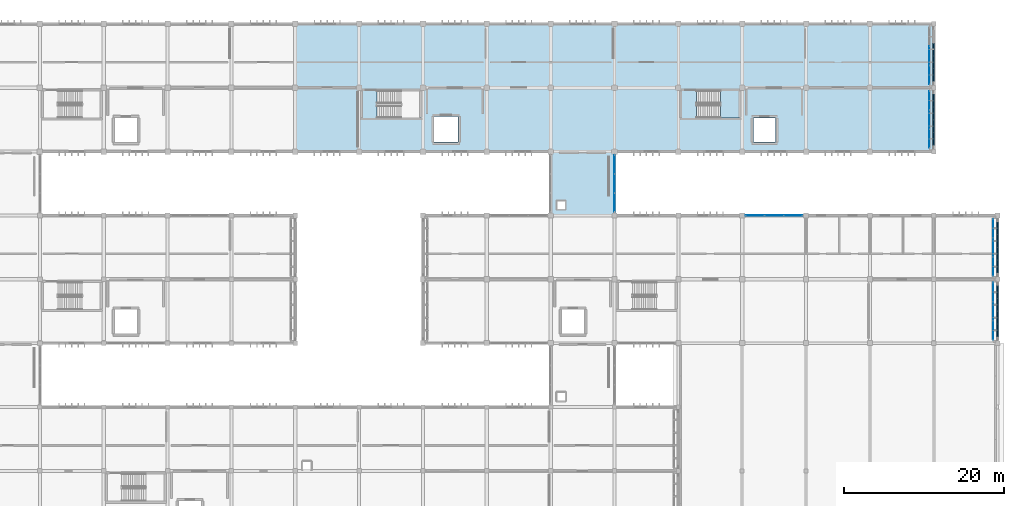
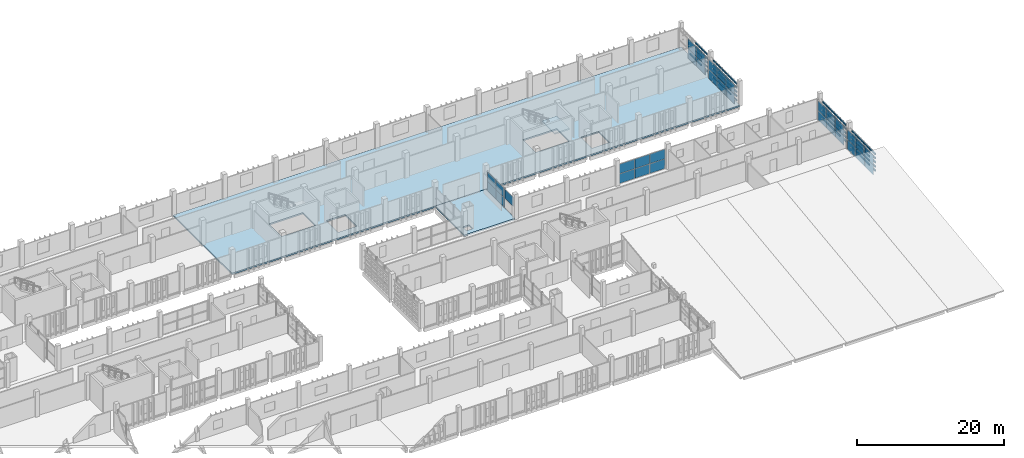
# One storey, part 61 of 83: 104 plates, 3 slabs, 7 elements without a shape of their own.
"""IFC4 building model written with IfcOpenShell, lengths in metres."""

from ifc_helpers import new_model, si_unit, direction, frame, origin, origin_2d, place, context, subcontext, project, spatial, polyline, rectangle, outline, extrude, material, layer, layer_set, type_object, element, aggregate, save


model = new_model("IFC4")

# Units and contexts
model_context = context("Model", 3, precision=1e-05, world=origin(), true_north=direction((0.0, 1.0)))
body_context = subcontext(model_context, "Body", "Model", "MODEL_VIEW")
ifc_project = project(units=[si_unit("LENGTHUNIT", "METRE"), si_unit("AREAUNIT", "SQUARE_METRE"), si_unit("VOLUMEUNIT", "CUBIC_METRE"), si_unit("PLANEANGLEUNIT", "RADIAN"), si_unit("MASSUNIT", "GRAM", prefix="KILO")], contexts=[model_context])

# Site, building, storey
site_placement = place(None, origin())
site = spatial("IfcSite", under=ifc_project, at=site_placement, CompositionType="ELEMENT")
building_placement = place(site_placement, origin())
building = spatial("IfcBuilding", under=site, at=building_placement, Name="Jelvoka-Kovrelna Polytechnic", CompositionType="ELEMENT")
storey_placement = place(building_placement, frame((0.0, 0.0, 13.800048828125)))
storey = spatial("IfcBuildingStorey", under=building, at=storey_placement, Name="L04", CompositionType="ELEMENT", Elevation=13.800048828125)

# Curtain wall, plates
ifc_material_1 = material(Name="Anodised aluminium 6063-T6", Category="aluminium")
ifc_layer_1 = layer(ifc_material_1, 0.159912109375)
ifc_layer_set_1 = layer_set([ifc_layer_1], Name="Anodised aluminium 6063-T6")
curtain_wall_type_1 = type_object("IfcCurtainWallType", Name="CW_Recessed_A", PredefinedType="NOTDEFINED", material=ifc_layer_set_1)
curtain_wall_1_placement = place(storey_placement, origin())
curtain_wall_1 = element("IfcCurtainWall", 1, at=curtain_wall_1_placement, inside=storey, type_object=curtain_wall_type_1, Name="L04 glazed curtain wall 065", PredefinedType="NOTDEFINED")
ifc_material_2 = material(Name="Solar-control double glazing", Category="glass")
ifc_layer_2 = layer(ifc_material_2, 0.028076171875)
ifc_layer_set_2 = layer_set([ifc_layer_2], Name="Solar-control double glazing")
plate_type_1 = type_object("IfcPlateType", Name="Panel_GP-01", PredefinedType="CURTAIN_PANEL", material=ifc_layer_set_2)
plate_1_placement = place(storey_placement, frame((169.614990234375, 48.0, 0.052001953125), z_axis=(0.0, 0.0, 1.0), x_axis=(1.0, 0.0, 0.0)))
plate_1 = element("IfcPlate", 2, at=plate_1_placement, type_object=plate_type_1, Name="CW-01 panel 1.1", PredefinedType="CURTAIN_PANEL", context=body_context, shape_type="SweptSolid", body=[
    extrude(rectangle(XDim=2.326171875, YDim=0.028076171875, at=origin_2d()), origin(), (0.0, 0.0, 1.0), 1.588623046875),
])
plate_2_placement = place(storey_placement, frame((169.614990234375, 48.0, 1.684326171875), z_axis=(0.0, 0.0, 1.0), x_axis=(1.0, 0.0, 0.0)))
plate_2 = element("IfcPlate", 3, at=plate_2_placement, type_object=plate_type_1, Name="CW-01 panel 1.2", PredefinedType="CURTAIN_PANEL", context=body_context, shape_type="SweptSolid", body=[
    extrude(rectangle(XDim=2.326171875, YDim=0.028076171875, at=origin_2d()), origin(), (0.0, 0.0, 1.0), 1.588623046875),
])
plate_3_placement = place(storey_placement, frame((172.0, 48.0, 0.052001953125), z_axis=(0.0, 0.0, 1.0), x_axis=(1.0, 0.0, 0.0)))
plate_3 = element("IfcPlate", 4, at=plate_3_placement, type_object=plate_type_1, Name="CW-01 panel 2.1", PredefinedType="CURTAIN_PANEL", context=body_context, shape_type="SweptSolid", body=[
    extrude(rectangle(XDim=2.356201171875, YDim=0.028076171875, at=origin_2d()), origin(), (0.0, 0.0, 1.0), 1.588623046875),
])
plate_4_placement = place(storey_placement, frame((172.0, 48.0, 1.684326171875), z_axis=(0.0, 0.0, 1.0), x_axis=(1.0, 0.0, 0.0)))
plate_4 = element("IfcPlate", 5, at=plate_4_placement, type_object=plate_type_1, Name="CW-01 panel 2.2", PredefinedType="CURTAIN_PANEL", context=body_context, shape_type="SweptSolid", body=[
    extrude(rectangle(XDim=2.356201171875, YDim=0.028076171875, at=origin_2d()), origin(), (0.0, 0.0, 1.0), 1.588623046875),
])
plate_5_placement = place(storey_placement, frame((174.385009765625, 48.0, 0.052001953125), z_axis=(0.0, 0.0, 1.0), x_axis=(1.0, 0.0, 0.0)))
plate_5 = element("IfcPlate", 6, at=plate_5_placement, type_object=plate_type_1, Name="CW-01 panel 3.1", PredefinedType="CURTAIN_PANEL", context=body_context, shape_type="SweptSolid", body=[
    extrude(rectangle(XDim=2.326171875, YDim=0.028076171875, at=origin_2d()), origin(), (0.0, 0.0, 1.0), 1.588623046875),
])
plate_6_placement = place(storey_placement, frame((174.385009765625, 48.0, 1.684326171875), z_axis=(0.0, 0.0, 1.0), x_axis=(1.0, 0.0, 0.0)))
plate_6 = element("IfcPlate", 7, at=plate_6_placement, type_object=plate_type_1, Name="CW-01 panel 3.2", PredefinedType="CURTAIN_PANEL", context=body_context, shape_type="SweptSolid", body=[
    extrude(rectangle(XDim=2.326171875, YDim=0.028076171875, at=origin_2d()), origin(), (0.0, 0.0, 1.0), 1.588623046875),
])
aggregate(curtain_wall_1, [plate_1, plate_2, plate_3, plate_4, plate_5, plate_6])

curtain_wall_2_placement = place(storey_placement, origin())
curtain_wall_2 = element("IfcCurtainWall", 8, at=curtain_wall_2_placement, inside=storey, type_object=curtain_wall_type_1, Name="L04 glazed curtain wall 068", PredefinedType="NOTDEFINED")
plate_7_placement = place(storey_placement, frame((199.43994140625, 38.385009765625, 0.052001953125), z_axis=(0.0, 0.0, 1.0), x_axis=(0.0, -1.0, 0.0)))
plate_7 = element("IfcPlate", 9, at=plate_7_placement, type_object=plate_type_1, Name="CW-01 panel 1.1", PredefinedType="CURTAIN_PANEL", context=body_context, shape_type="SweptSolid", body=[
    extrude(rectangle(XDim=2.326171875, YDim=0.028076171875, at=origin_2d()), origin(), (0.0, 0.0, 1.0), 1.60107421875),
])
plate_8_placement = place(storey_placement, frame((199.43994140625, 38.385009765625, 1.697021484375), z_axis=(0.0, 0.0, 1.0), x_axis=(0.0, -1.0, 0.0)))
plate_8 = element("IfcPlate", 10, at=plate_8_placement, type_object=plate_type_1, Name="CW-01 panel 1.2", PredefinedType="CURTAIN_PANEL", context=body_context, shape_type="SweptSolid", body=[
    extrude(rectangle(XDim=2.326171875, YDim=0.028076171875, at=origin_2d()), origin(), (0.0, 0.0, 1.0), 1.60107421875),
])
plate_9_placement = place(storey_placement, frame((199.43994140625, 36.0, 0.052001953125), z_axis=(0.0, 0.0, 1.0), x_axis=(0.0, -1.0, 0.0)))
plate_9 = element("IfcPlate", 11, at=plate_9_placement, type_object=plate_type_1, Name="CW-01 panel 2.1", PredefinedType="CURTAIN_PANEL", context=body_context, shape_type="SweptSolid", body=[
    extrude(rectangle(XDim=2.356201171875, YDim=0.028076171875, at=origin_2d()), origin(), (0.0, 0.0, 1.0), 1.60107421875),
])
plate_10_placement = place(storey_placement, frame((199.43994140625, 36.0, 1.697021484375), z_axis=(0.0, 0.0, 1.0), x_axis=(0.0, -1.0, 0.0)))
plate_10 = element("IfcPlate", 12, at=plate_10_placement, type_object=plate_type_1, Name="CW-01 panel 2.2", PredefinedType="CURTAIN_PANEL", context=body_context, shape_type="SweptSolid", body=[
    extrude(rectangle(XDim=2.356201171875, YDim=0.028076171875, at=origin_2d()), origin(), (0.0, 0.0, 1.0), 1.60107421875),
])
plate_11_placement = place(storey_placement, frame((199.43994140625, 33.614990234375, 0.052001953125), z_axis=(0.0, 0.0, 1.0), x_axis=(0.0, -1.0, 0.0)))
plate_11 = element("IfcPlate", 13, at=plate_11_placement, type_object=plate_type_1, Name="CW-01 panel 3.1", PredefinedType="CURTAIN_PANEL", context=body_context, shape_type="SweptSolid", body=[
    extrude(rectangle(XDim=2.326171875, YDim=0.028076171875, at=origin_2d()), origin(), (0.0, 0.0, 1.0), 1.60107421875),
])
plate_12_placement = place(storey_placement, frame((199.43994140625, 33.614990234375, 1.697021484375), z_axis=(0.0, 0.0, 1.0), x_axis=(0.0, -1.0, 0.0)))
plate_12 = element("IfcPlate", 14, at=plate_12_placement, type_object=plate_type_1, Name="CW-01 panel 3.2", PredefinedType="CURTAIN_PANEL", context=body_context, shape_type="SweptSolid", body=[
    extrude(rectangle(XDim=2.326171875, YDim=0.028076171875, at=origin_2d()), origin(), (0.0, 0.0, 1.0), 1.60107421875),
])
aggregate(curtain_wall_2, [plate_7, plate_8, plate_9, plate_10, plate_11, plate_12])

curtain_wall_3_placement = place(storey_placement, origin())
curtain_wall_3 = element("IfcCurtainWall", 15, at=curtain_wall_3_placement, inside=storey, type_object=curtain_wall_type_1, Name="L04 glazed curtain wall 069", PredefinedType="NOTDEFINED")
plate_13_placement = place(storey_placement, frame((199.43994140625, 46.385009765625, 0.052001953125), z_axis=(0.0, 0.0, 1.0), x_axis=(0.0, -1.0, 0.0)))
plate_13 = element("IfcPlate", 16, at=plate_13_placement, type_object=plate_type_1, Name="CW-01 panel 1.1", PredefinedType="CURTAIN_PANEL", context=body_context, shape_type="SweptSolid", body=[
    extrude(rectangle(XDim=2.326171875, YDim=0.028076171875, at=origin_2d()), origin(), (0.0, 0.0, 1.0), 1.60107421875),
])
plate_14_placement = place(storey_placement, frame((199.43994140625, 46.385009765625, 1.697021484375), z_axis=(0.0, 0.0, 1.0), x_axis=(0.0, -1.0, 0.0)))
plate_14 = element("IfcPlate", 17, at=plate_14_placement, type_object=plate_type_1, Name="CW-01 panel 1.2", PredefinedType="CURTAIN_PANEL", context=body_context, shape_type="SweptSolid", body=[
    extrude(rectangle(XDim=2.326171875, YDim=0.028076171875, at=origin_2d()), origin(), (0.0, 0.0, 1.0), 1.60107421875),
])
plate_15_placement = place(storey_placement, frame((199.43994140625, 44.0, 0.052001953125), z_axis=(0.0, 0.0, 1.0), x_axis=(0.0, -1.0, 0.0)))
plate_15 = element("IfcPlate", 18, at=plate_15_placement, type_object=plate_type_1, Name="CW-01 panel 2.1", PredefinedType="CURTAIN_PANEL", context=body_context, shape_type="SweptSolid", body=[
    extrude(rectangle(XDim=2.356201171875, YDim=0.028076171875, at=origin_2d()), origin(), (0.0, 0.0, 1.0), 1.60107421875),
])
plate_16_placement = place(storey_placement, frame((199.43994140625, 44.0, 1.697021484375), z_axis=(0.0, 0.0, 1.0), x_axis=(0.0, -1.0, 0.0)))
plate_16 = element("IfcPlate", 19, at=plate_16_placement, type_object=plate_type_1, Name="CW-01 panel 2.2", PredefinedType="CURTAIN_PANEL", context=body_context, shape_type="SweptSolid", body=[
    extrude(rectangle(XDim=2.356201171875, YDim=0.028076171875, at=origin_2d()), origin(), (0.0, 0.0, 1.0), 1.60107421875),
])
plate_17_placement = place(storey_placement, frame((199.43994140625, 41.614990234375, 0.052001953125), z_axis=(0.0, 0.0, 1.0), x_axis=(0.0, -1.0, 0.0)))
plate_17 = element("IfcPlate", 20, at=plate_17_placement, type_object=plate_type_1, Name="CW-01 panel 3.1", PredefinedType="CURTAIN_PANEL", context=body_context, shape_type="SweptSolid", body=[
    extrude(rectangle(XDim=2.326171875, YDim=0.028076171875, at=origin_2d()), origin(), (0.0, 0.0, 1.0), 1.60107421875),
])
plate_18_placement = place(storey_placement, frame((199.43994140625, 41.614990234375, 1.697021484375), z_axis=(0.0, 0.0, 1.0), x_axis=(0.0, -1.0, 0.0)))
plate_18 = element("IfcPlate", 21, at=plate_18_placement, type_object=plate_type_1, Name="CW-01 panel 3.2", PredefinedType="CURTAIN_PANEL", context=body_context, shape_type="SweptSolid", body=[
    extrude(rectangle(XDim=2.326171875, YDim=0.028076171875, at=origin_2d()), origin(), (0.0, 0.0, 1.0), 1.60107421875),
])
aggregate(curtain_wall_3, [plate_13, plate_14, plate_15, plate_16, plate_17, plate_18])

ifc_material_3 = material(Name="Anodised aluminium 6063-T6", Category="aluminium")
ifc_layer_3 = layer(ifc_material_3, 0.179931640625)
ifc_layer_set_3 = layer_set([ifc_layer_3], Name="Anodised aluminium 6063-T6")
curtain_wall_type_2 = type_object("IfcCurtainWallType", Name="CW_Recessed_B", PredefinedType="NOTDEFINED", material=ifc_layer_set_3)
curtain_wall_4_placement = place(storey_placement, origin())
curtain_wall_4 = element("IfcCurtainWall", 22, at=curtain_wall_4_placement, inside=storey, type_object=curtain_wall_type_2, Name="L04 glazed curtain wall 087", PredefinedType="NOTDEFINED")
ifc_material_4 = material(Name="Solar-control double glazing", Category="glass")
ifc_layer_4 = layer(ifc_material_4, 0.031982421875)
ifc_layer_set_4 = layer_set([ifc_layer_4], Name="Solar-control double glazing")
plate_type_2 = type_object("IfcPlateType", Name="Panel_GP-02", PredefinedType="CURTAIN_PANEL", material=ifc_layer_set_4)
plate_19_placement = place(storey_placement, frame((191.43994140625, 62.3837890625, 0.056884765625), z_axis=(0.0, 0.0, 1.0), x_axis=(0.0, -1.0, 0.0)))
plate_19 = element("IfcPlate", 23, at=plate_19_placement, type_object=plate_type_2, Name="CW-02 panel 1.1", PredefinedType="CURTAIN_PANEL", context=body_context, shape_type="SweptSolid", body=[
    extrude(rectangle(XDim=2.318603515625, YDim=0.031982421875, at=origin_2d()), origin(), (0.0, 0.0, 1.0), 1.593505859375),
])
plate_20_placement = place(storey_placement, frame((191.43994140625, 62.3837890625, 1.699462890625), z_axis=(0.0, 0.0, 1.0), x_axis=(0.0, -1.0, 0.0)))
plate_20 = element("IfcPlate", 24, at=plate_20_placement, type_object=plate_type_2, Name="CW-02 panel 1.2", PredefinedType="CURTAIN_PANEL", context=body_context, shape_type="SweptSolid", body=[
    extrude(rectangle(XDim=2.318603515625, YDim=0.031982421875, at=origin_2d()), origin(), (0.0, 0.0, 1.0), 1.593505859375),
])
plate_21_placement = place(storey_placement, frame((191.43994140625, 60.0, 0.056884765625), z_axis=(0.0, 0.0, 1.0), x_axis=(0.0, -1.0, 0.0)))
plate_21 = element("IfcPlate", 25, at=plate_21_placement, type_object=plate_type_2, Name="CW-02 panel 2.1", PredefinedType="CURTAIN_PANEL", context=body_context, shape_type="SweptSolid", body=[
    extrude(rectangle(XDim=2.35107421875, YDim=0.031982421875, at=origin_2d()), origin(), (0.0, 0.0, 1.0), 1.593505859375),
])
plate_22_placement = place(storey_placement, frame((191.43994140625, 60.0, 1.699462890625), z_axis=(0.0, 0.0, 1.0), x_axis=(0.0, -1.0, 0.0)))
plate_22 = element("IfcPlate", 26, at=plate_22_placement, type_object=plate_type_2, Name="CW-02 panel 2.2", PredefinedType="CURTAIN_PANEL", context=body_context, shape_type="SweptSolid", body=[
    extrude(rectangle(XDim=2.35107421875, YDim=0.031982421875, at=origin_2d()), origin(), (0.0, 0.0, 1.0), 1.593505859375),
])
plate_23_placement = place(storey_placement, frame((191.43994140625, 57.6162109375, 0.056884765625), z_axis=(0.0, 0.0, 1.0), x_axis=(0.0, -1.0, 0.0)))
plate_23 = element("IfcPlate", 27, at=plate_23_placement, type_object=plate_type_2, Name="CW-02 panel 3.1", PredefinedType="CURTAIN_PANEL", context=body_context, shape_type="SweptSolid", body=[
    extrude(rectangle(XDim=2.318603515625, YDim=0.031982421875, at=origin_2d()), origin(), (0.0, 0.0, 1.0), 1.593505859375),
])
plate_24_placement = place(storey_placement, frame((191.43994140625, 57.6162109375, 1.699462890625), z_axis=(0.0, 0.0, 1.0), x_axis=(0.0, -1.0, 0.0)))
plate_24 = element("IfcPlate", 28, at=plate_24_placement, type_object=plate_type_2, Name="CW-02 panel 3.2", PredefinedType="CURTAIN_PANEL", context=body_context, shape_type="SweptSolid", body=[
    extrude(rectangle(XDim=2.318603515625, YDim=0.031982421875, at=origin_2d()), origin(), (0.0, 0.0, 1.0), 1.593505859375),
])
aggregate(curtain_wall_4, [plate_19, plate_20, plate_21, plate_22, plate_23, plate_24])

curtain_wall_5_placement = place(storey_placement, origin())
curtain_wall_5 = element("IfcCurtainWall", 29, at=curtain_wall_5_placement, inside=storey, type_object=curtain_wall_type_2, Name="L04 glazed curtain wall 088", PredefinedType="NOTDEFINED")
plate_25_placement = place(storey_placement, frame((191.43994140625, 68.0, 0.056884765625), z_axis=(0.0, 0.0, 1.0), x_axis=(0.0, -1.0, 0.0)))
plate_25 = element("IfcPlate", 30, at=plate_25_placement, type_object=plate_type_2, Name="CW-02 panel 2.1", PredefinedType="CURTAIN_PANEL", context=body_context, shape_type="SweptSolid", body=[
    extrude(rectangle(XDim=2.35107421875, YDim=0.031982421875, at=origin_2d()), origin(), (0.0, 0.0, 1.0), 1.593505859375),
])
plate_26_placement = place(storey_placement, frame((191.43994140625, 68.0, 1.699462890625), z_axis=(0.0, 0.0, 1.0), x_axis=(0.0, -1.0, 0.0)))
plate_26 = element("IfcPlate", 31, at=plate_26_placement, type_object=plate_type_2, Name="CW-02 panel 2.2", PredefinedType="CURTAIN_PANEL", context=body_context, shape_type="SweptSolid", body=[
    extrude(rectangle(XDim=2.35107421875, YDim=0.031982421875, at=origin_2d()), origin(), (0.0, 0.0, 1.0), 1.593505859375),
])
plate_27_placement = place(storey_placement, frame((191.43994140625, 65.6162109375, 0.056884765625), z_axis=(0.0, 0.0, 1.0), x_axis=(0.0, -1.0, 0.0)))
plate_27 = element("IfcPlate", 32, at=plate_27_placement, type_object=plate_type_2, Name="CW-02 panel 3.1", PredefinedType="CURTAIN_PANEL", context=body_context, shape_type="SweptSolid", body=[
    extrude(rectangle(XDim=2.318603515625, YDim=0.031982421875, at=origin_2d()), origin(), (0.0, 0.0, 1.0), 1.593505859375),
])
plate_28_placement = place(storey_placement, frame((191.43994140625, 65.6162109375, 1.699462890625), z_axis=(0.0, 0.0, 1.0), x_axis=(0.0, -1.0, 0.0)))
plate_28 = element("IfcPlate", 33, at=plate_28_placement, type_object=plate_type_2, Name="CW-02 panel 3.2", PredefinedType="CURTAIN_PANEL", context=body_context, shape_type="SweptSolid", body=[
    extrude(rectangle(XDim=2.318603515625, YDim=0.031982421875, at=origin_2d()), origin(), (0.0, 0.0, 1.0), 1.593505859375),
])
aggregate(curtain_wall_5, [plate_25, plate_26, plate_27, plate_28])

ifc_material_5 = material(Name="Anodised aluminium 6063-T6", Category="aluminium")
ifc_layer_5 = layer(ifc_material_5, 0.159912109375)
ifc_layer_set_5 = layer_set([ifc_layer_5], Name="Anodised aluminium 6063-T6")
curtain_wall_type_3 = type_object("IfcCurtainWallType", Name="CW_LinkBridge", PredefinedType="NOTDEFINED", material=ifc_layer_set_5)
curtain_wall_6_placement = place(storey_placement, origin())
curtain_wall_6 = element("IfcCurtainWall", 34, at=curtain_wall_6_placement, inside=storey, type_object=curtain_wall_type_3, Name="L04 glazed curtain wall 133", PredefinedType="NOTDEFINED")
ifc_material_6 = material(Name="Solar-control double glazing", Category="glass")
ifc_layer_6 = layer(ifc_material_6, 0.02392578125)
ifc_layer_set_6 = layer_set([ifc_layer_6], Name="Solar-control double glazing")
plate_type_3 = type_object("IfcPlateType", Name="Panel_GP-04", PredefinedType="CURTAIN_PANEL", material=ifc_layer_set_6)
plate_29_placement = place(storey_placement, frame((152.0, 54.385009765625, 0.052001953125), z_axis=(0.0, 0.0, 1.0), x_axis=(0.0, -1.0, 0.0)))
plate_29 = element("IfcPlate", 35, at=plate_29_placement, type_object=plate_type_3, Name="CW-04 panel 1.1", PredefinedType="CURTAIN_PANEL", context=body_context, shape_type="SweptSolid", body=[
    extrude(rectangle(XDim=2.326171875, YDim=0.02392578125, at=origin_2d()), origin(), (0.0, 0.0, 1.0), 1.53857421875),
])
plate_30_placement = place(storey_placement, frame((152.0, 54.385009765625, 1.634521484375), z_axis=(0.0, 0.0, 1.0), x_axis=(0.0, -1.0, 0.0)))
plate_30 = element("IfcPlate", 36, at=plate_30_placement, type_object=plate_type_3, Name="CW-04 panel 1.2", PredefinedType="CURTAIN_PANEL", context=body_context, shape_type="SweptSolid", body=[
    extrude(rectangle(XDim=2.326171875, YDim=0.02392578125, at=origin_2d()), origin(), (0.0, 0.0, 1.0), 1.53857421875),
])
plate_31_placement = place(storey_placement, frame((152.0, 52.0, 0.052001953125), z_axis=(0.0, 0.0, 1.0), x_axis=(0.0, -1.0, 0.0)))
plate_31 = element("IfcPlate", 37, at=plate_31_placement, type_object=plate_type_3, Name="CW-04 panel 2.1", PredefinedType="CURTAIN_PANEL", context=body_context, shape_type="SweptSolid", body=[
    extrude(rectangle(XDim=2.356201171875, YDim=0.02392578125, at=origin_2d()), origin(), (0.0, 0.0, 1.0), 1.53857421875),
])
plate_32_placement = place(storey_placement, frame((152.0, 52.0, 1.634521484375), z_axis=(0.0, 0.0, 1.0), x_axis=(0.0, -1.0, 0.0)))
plate_32 = element("IfcPlate", 38, at=plate_32_placement, type_object=plate_type_3, Name="CW-04 panel 2.2", PredefinedType="CURTAIN_PANEL", context=body_context, shape_type="SweptSolid", body=[
    extrude(rectangle(XDim=2.356201171875, YDim=0.02392578125, at=origin_2d()), origin(), (0.0, 0.0, 1.0), 1.53857421875),
])
plate_33_placement = place(storey_placement, frame((152.0, 49.614990234375, 1.634521484375), z_axis=(0.0, 0.0, 1.0), x_axis=(0.0, -1.0, 0.0)))
plate_33 = element("IfcPlate", 39, at=plate_33_placement, type_object=plate_type_3, Name="CW-04 panel 3.2", PredefinedType="CURTAIN_PANEL", context=body_context, shape_type="SweptSolid", body=[
    extrude(rectangle(XDim=2.326171875, YDim=0.02392578125, at=origin_2d()), origin(), (0.0, 0.0, 1.0), 1.53857421875),
])
aggregate(curtain_wall_6, [plate_29, plate_30, plate_31, plate_32, plate_33])

# Plates
ifc_material_7 = material(Name="Perforated fired terracotta block", Category="masonry")
ifc_layer_7 = layer(ifc_material_7, 0.159912109375)
ifc_layer_set_7 = layer_set([ifc_layer_7], Name="Perforated fired terracotta block")
plate_type_4 = type_object("IfcPlateType", Name="Screen_Terracotta_TP01", PredefinedType="USERDEFINED", material=ifc_layer_set_7)
for number, where, z_axis, x_axis, name in (
    (40, (191.97998046875, 57.60009765625, 0.2001953125), (0.0, 0.0, 1.0), (0.0, 1.0, 0.0), "L04 perforated terracotta lattice band 1081"),
    (41, (191.97998046875, 57.60009765625, 0.892578125), (0.0, 0.0, 1.0), (0.0, 1.0, 0.0), "L04 perforated terracotta lattice band 1082"),
    (42, (191.97998046875, 57.60009765625, 1.5849609375), (0.0, 0.0, 1.0), (0.0, 1.0, 0.0), "L04 perforated terracotta lattice band 1083"),
    (43, (191.97998046875, 57.60009765625, 2.27734375), (0.0, 0.0, 1.0), (0.0, 1.0, 0.0), "L04 perforated terracotta lattice band 1084"),
    (44, (191.97998046875, 57.60009765625, 2.9697265625), (0.0, 0.0, 1.0), (0.0, 1.0, 0.0), "L04 perforated terracotta lattice band 1085"),
    (45, (191.97998046875, 59.199951171875, 0.2001953125), (0.0, 0.0, 1.0), (0.0, 1.0, 0.0), "L04 perforated terracotta lattice band 1086"),
    (46, (191.97998046875, 59.199951171875, 0.892578125), (0.0, 0.0, 1.0), (0.0, 1.0, 0.0), "L04 perforated terracotta lattice band 1087"),
    (47, (191.97998046875, 59.199951171875, 1.5849609375), (0.0, 0.0, 1.0), (0.0, 1.0, 0.0), "L04 perforated terracotta lattice band 1088"),
    (48, (191.97998046875, 59.199951171875, 2.27734375), (0.0, 0.0, 1.0), (0.0, 1.0, 0.0), "L04 perforated terracotta lattice band 1089"),
    (49, (191.97998046875, 59.199951171875, 2.9697265625), (0.0, 0.0, 1.0), (0.0, 1.0, 0.0), "L04 perforated terracotta lattice band 1090"),
    (50, (191.97998046875, 60.800048828125, 0.2001953125), (0.0, 0.0, 1.0), (0.0, 1.0, 0.0), "L04 perforated terracotta lattice band 1091"),
    (51, (191.97998046875, 60.800048828125, 0.892578125), (0.0, 0.0, 1.0), (0.0, 1.0, 0.0), "L04 perforated terracotta lattice band 1092"),
    (52, (191.97998046875, 60.800048828125, 1.5849609375), (0.0, 0.0, 1.0), (0.0, 1.0, 0.0), "L04 perforated terracotta lattice band 1093"),
    (53, (191.97998046875, 60.800048828125, 2.27734375), (0.0, 0.0, 1.0), (0.0, 1.0, 0.0), "L04 perforated terracotta lattice band 1094"),
    (54, (191.97998046875, 60.800048828125, 2.9697265625), (0.0, 0.0, 1.0), (0.0, 1.0, 0.0), "L04 perforated terracotta lattice band 1095"),
    (55, (191.97998046875, 62.39990234375, 0.2001953125), (0.0, 0.0, 1.0), (0.0, 1.0, 0.0), "L04 perforated terracotta lattice band 1096"),
    (56, (191.97998046875, 62.39990234375, 0.892578125), (0.0, 0.0, 1.0), (0.0, 1.0, 0.0), "L04 perforated terracotta lattice band 1097"),
    (57, (191.97998046875, 62.39990234375, 1.5849609375), (0.0, 0.0, 1.0), (0.0, 1.0, 0.0), "L04 perforated terracotta lattice band 1098"),
    (58, (191.97998046875, 62.39990234375, 2.27734375), (0.0, 0.0, 1.0), (0.0, 1.0, 0.0), "L04 perforated terracotta lattice band 1099"),
    (59, (191.97998046875, 62.39990234375, 2.9697265625), (0.0, 0.0, 1.0), (0.0, 1.0, 0.0), "L04 perforated terracotta lattice band 1100"),
    (60, (191.97998046875, 65.60009765625, 0.2001953125), (0.0, 0.0, 1.0), (0.0, 1.0, 0.0), "L04 perforated terracotta lattice band 1101"),
    (61, (191.97998046875, 65.60009765625, 0.892578125), (0.0, 0.0, 1.0), (0.0, 1.0, 0.0), "L04 perforated terracotta lattice band 1102"),
    (62, (191.97998046875, 65.60009765625, 1.5849609375), (0.0, 0.0, 1.0), (0.0, 1.0, 0.0), "L04 perforated terracotta lattice band 1103"),
    (63, (191.97998046875, 65.60009765625, 2.27734375), (0.0, 0.0, 1.0), (0.0, 1.0, 0.0), "L04 perforated terracotta lattice band 1104"),
    (64, (191.97998046875, 65.60009765625, 2.9697265625), (0.0, 0.0, 1.0), (0.0, 1.0, 0.0), "L04 perforated terracotta lattice band 1105"),
    (65, (191.97998046875, 67.199951171875, 0.2001953125), (0.0, 0.0, 1.0), (0.0, 1.0, 0.0), "L04 perforated terracotta lattice band 1106"),
    (66, (191.97998046875, 67.199951171875, 0.892578125), (0.0, 0.0, 1.0), (0.0, 1.0, 0.0), "L04 perforated terracotta lattice band 1107"),
    (67, (191.97998046875, 67.199951171875, 1.5849609375), (0.0, 0.0, 1.0), (0.0, 1.0, 0.0), "L04 perforated terracotta lattice band 1108"),
    (68, (191.97998046875, 67.199951171875, 2.27734375), (0.0, 0.0, 1.0), (0.0, 1.0, 0.0), "L04 perforated terracotta lattice band 1109"),
    (69, (191.97998046875, 67.199951171875, 2.9697265625), (0.0, 0.0, 1.0), (0.0, 1.0, 0.0), "L04 perforated terracotta lattice band 1110"),
    (70, (191.97998046875, 68.800048828125, 0.2001953125), (0.0, 0.0, 1.0), (0.0, 1.0, 0.0), "L04 perforated terracotta lattice band 1111"),
):
    element("IfcPlate", number, at=place(storey_placement, frame(where, z_axis=z_axis, x_axis=x_axis)), inside=storey, type_object=plate_type_4, Name=name, ObjectType="SCREEN PANEL", PredefinedType="USERDEFINED", context=body_context, shape_type="SweptSolid", body=[
        extrude(rectangle(XDim=1.60009765625, YDim=0.159912109375, at=origin_2d()), origin(), (0.0, 0.0, 1.0), 0.239990234375),
    ])
ifc_material_8 = material(Name="Perforated fired terracotta block", Category="masonry")
ifc_layer_8 = layer(ifc_material_8, 0.169921875)
ifc_layer_set_8 = layer_set([ifc_layer_8], Name="Perforated fired terracotta block")
plate_type_5 = type_object("IfcPlateType", Name="Screen_Terracotta_TP04", PredefinedType="USERDEFINED", material=ifc_layer_set_8)
for number, where, z_axis, x_axis, name in (
    (71, (199.97998046875, 33.60009765625, 0.18994140625), (0.0, 0.0, 1.0), (0.0, 1.0, 0.0), "L04 perforated terracotta lattice band 0701"),
    (72, (199.97998046875, 33.60009765625, 0.88232421875), (0.0, 0.0, 1.0), (0.0, 1.0, 0.0), "L04 perforated terracotta lattice band 0702"),
    (73, (199.97998046875, 33.60009765625, 1.57470703125), (0.0, 0.0, 1.0), (0.0, 1.0, 0.0), "L04 perforated terracotta lattice band 0703"),
    (74, (199.97998046875, 33.60009765625, 2.267578125), (0.0, 0.0, 1.0), (0.0, 1.0, 0.0), "L04 perforated terracotta lattice band 0704"),
    (75, (199.97998046875, 33.60009765625, 2.9599609375), (0.0, 0.0, 1.0), (0.0, 1.0, 0.0), "L04 perforated terracotta lattice band 0705"),
    (76, (199.97998046875, 35.199951171875, 0.18994140625), (0.0, 0.0, 1.0), (0.0, 1.0, 0.0), "L04 perforated terracotta lattice band 0706"),
    (77, (199.97998046875, 35.199951171875, 0.88232421875), (0.0, 0.0, 1.0), (0.0, 1.0, 0.0), "L04 perforated terracotta lattice band 0707"),
    (78, (199.97998046875, 35.199951171875, 1.57470703125), (0.0, 0.0, 1.0), (0.0, 1.0, 0.0), "L04 perforated terracotta lattice band 0708"),
    (79, (199.97998046875, 35.199951171875, 2.267578125), (0.0, 0.0, 1.0), (0.0, 1.0, 0.0), "L04 perforated terracotta lattice band 0709"),
    (80, (199.97998046875, 35.199951171875, 2.9599609375), (0.0, 0.0, 1.0), (0.0, 1.0, 0.0), "L04 perforated terracotta lattice band 0710"),
    (81, (199.97998046875, 36.800048828125, 0.18994140625), (0.0, 0.0, 1.0), (0.0, 1.0, 0.0), "L04 perforated terracotta lattice band 0711"),
    (82, (199.97998046875, 36.800048828125, 0.88232421875), (0.0, 0.0, 1.0), (0.0, 1.0, 0.0), "L04 perforated terracotta lattice band 0712"),
    (83, (199.97998046875, 36.800048828125, 1.57470703125), (0.0, 0.0, 1.0), (0.0, 1.0, 0.0), "L04 perforated terracotta lattice band 0713"),
    (84, (199.97998046875, 36.800048828125, 2.267578125), (0.0, 0.0, 1.0), (0.0, 1.0, 0.0), "L04 perforated terracotta lattice band 0714"),
    (85, (199.97998046875, 36.800048828125, 2.9599609375), (0.0, 0.0, 1.0), (0.0, 1.0, 0.0), "L04 perforated terracotta lattice band 0715"),
    (86, (199.97998046875, 38.39990234375, 0.18994140625), (0.0, 0.0, 1.0), (0.0, 1.0, 0.0), "L04 perforated terracotta lattice band 0716"),
    (87, (199.97998046875, 38.39990234375, 0.88232421875), (0.0, 0.0, 1.0), (0.0, 1.0, 0.0), "L04 perforated terracotta lattice band 0717"),
    (88, (199.97998046875, 38.39990234375, 1.57470703125), (0.0, 0.0, 1.0), (0.0, 1.0, 0.0), "L04 perforated terracotta lattice band 0718"),
    (89, (199.97998046875, 38.39990234375, 2.267578125), (0.0, 0.0, 1.0), (0.0, 1.0, 0.0), "L04 perforated terracotta lattice band 0719"),
    (90, (199.97998046875, 38.39990234375, 2.9599609375), (0.0, 0.0, 1.0), (0.0, 1.0, 0.0), "L04 perforated terracotta lattice band 0720"),
    (91, (199.97998046875, 41.60009765625, 0.18994140625), (0.0, 0.0, 1.0), (0.0, 1.0, 0.0), "L04 perforated terracotta lattice band 0721"),
    (92, (199.97998046875, 41.60009765625, 0.88232421875), (0.0, 0.0, 1.0), (0.0, 1.0, 0.0), "L04 perforated terracotta lattice band 0722"),
    (93, (199.97998046875, 41.60009765625, 1.57470703125), (0.0, 0.0, 1.0), (0.0, 1.0, 0.0), "L04 perforated terracotta lattice band 0723"),
    (94, (199.97998046875, 41.60009765625, 2.267578125), (0.0, 0.0, 1.0), (0.0, 1.0, 0.0), "L04 perforated terracotta lattice band 0724"),
    (95, (199.97998046875, 41.60009765625, 2.9599609375), (0.0, 0.0, 1.0), (0.0, 1.0, 0.0), "L04 perforated terracotta lattice band 0725"),
    (96, (199.97998046875, 43.199951171875, 0.18994140625), (0.0, 0.0, 1.0), (0.0, 1.0, 0.0), "L04 perforated terracotta lattice band 0726"),
    (97, (199.97998046875, 43.199951171875, 0.88232421875), (0.0, 0.0, 1.0), (0.0, 1.0, 0.0), "L04 perforated terracotta lattice band 0727"),
    (98, (199.97998046875, 43.199951171875, 1.57470703125), (0.0, 0.0, 1.0), (0.0, 1.0, 0.0), "L04 perforated terracotta lattice band 0728"),
    (99, (199.97998046875, 43.199951171875, 2.267578125), (0.0, 0.0, 1.0), (0.0, 1.0, 0.0), "L04 perforated terracotta lattice band 0729"),
    (100, (199.97998046875, 43.199951171875, 2.9599609375), (0.0, 0.0, 1.0), (0.0, 1.0, 0.0), "L04 perforated terracotta lattice band 0730"),
    (101, (199.97998046875, 44.800048828125, 0.18994140625), (0.0, 0.0, 1.0), (0.0, 1.0, 0.0), "L04 perforated terracotta lattice band 0731"),
    (102, (199.97998046875, 44.800048828125, 0.88232421875), (0.0, 0.0, 1.0), (0.0, 1.0, 0.0), "L04 perforated terracotta lattice band 0732"),
    (103, (199.97998046875, 44.800048828125, 1.57470703125), (0.0, 0.0, 1.0), (0.0, 1.0, 0.0), "L04 perforated terracotta lattice band 0733"),
    (104, (199.97998046875, 44.800048828125, 2.267578125), (0.0, 0.0, 1.0), (0.0, 1.0, 0.0), "L04 perforated terracotta lattice band 0734"),
    (105, (199.97998046875, 44.800048828125, 2.9599609375), (0.0, 0.0, 1.0), (0.0, 1.0, 0.0), "L04 perforated terracotta lattice band 0735"),
    (106, (199.97998046875, 46.39990234375, 0.18994140625), (0.0, 0.0, 1.0), (0.0, 1.0, 0.0), "L04 perforated terracotta lattice band 0736"),
    (107, (199.97998046875, 46.39990234375, 0.88232421875), (0.0, 0.0, 1.0), (0.0, 1.0, 0.0), "L04 perforated terracotta lattice band 0737"),
    (108, (199.97998046875, 46.39990234375, 1.57470703125), (0.0, 0.0, 1.0), (0.0, 1.0, 0.0), "L04 perforated terracotta lattice band 0738"),
    (109, (199.97998046875, 46.39990234375, 2.267578125), (0.0, 0.0, 1.0), (0.0, 1.0, 0.0), "L04 perforated terracotta lattice band 0739"),
    (110, (199.97998046875, 46.39990234375, 2.9599609375), (0.0, 0.0, 1.0), (0.0, 1.0, 0.0), "L04 perforated terracotta lattice band 0740"),
):
    element("IfcPlate", number, at=place(storey_placement, frame(where, z_axis=z_axis, x_axis=x_axis)), inside=storey, type_object=plate_type_5, Name=name, ObjectType="SCREEN PANEL", PredefinedType="USERDEFINED", context=body_context, shape_type="SweptSolid", body=[
        extrude(rectangle(XDim=1.56005859375, YDim=0.169921875, at=origin_2d()), origin(), (0.0, 0.0, 1.0), 0.260009765625),
    ])

# Slabs
ifc_material_9 = material(Name="Concrete C35/45", Category="concrete")
ifc_layer_9 = layer(ifc_material_9, 0.25)
ifc_layer_set_9 = layer_set([ifc_layer_9], Name="Concrete C35/45")
slab_type_1 = type_object("IfcSlabType", Name="Slab_Floor_250", PredefinedType="FLOOR", material=ifc_layer_set_9)
slab_1_placement = place(storey_placement, frame((0.0, 0.0, -0.25)))
element("IfcSlab", 111, at=slab_1_placement, inside=storey, type_object=slab_type_1, Name="L04 B3E structural slab", PredefinedType="FLOOR", context=body_context, shape_type="SweptSolid", body=[
    extrude(outline(polyline([(112.0, 56.0), (192.0, 56.0), (192.0, 72.0), (112.0, 72.0), (112.0, 56.0)]), holes=[polyline([(169.39990234375, 57.199951171875), (172.199951171875, 57.199951171875), (172.199951171875, 60.199951171875), (169.39990234375, 60.199951171875), (169.39990234375, 57.199951171875)]), polyline([(129.39990234375, 57.199951171875), (132.39990234375, 57.199951171875), (132.39990234375, 60.39990234375), (129.39990234375, 60.39990234375), (129.39990234375, 57.199951171875)]), polyline([(162.264892578125, 60.199951171875), (167.60009765625, 60.199951171875), (167.60009765625, 63.639892578125), (162.264892578125, 63.639892578125), (162.264892578125, 60.199951171875)]), polyline([(122.264892578125, 60.199951171875), (127.60009765625, 60.199951171875), (127.60009765625, 63.639892578125), (122.264892578125, 63.639892578125), (122.264892578125, 60.199951171875)])]), origin(), (0.0, 0.0, 1.0), 0.25),
])
slab_2_placement = place(storey_placement, frame((0.0, 0.0, -0.25)))
element("IfcSlab", 112, at=slab_2_placement, inside=storey, type_object=slab_type_1, Name="L04 LNKNE structural slab", PredefinedType="FLOOR", context=body_context, shape_type="SweptSolid", body=[
    extrude(outline(polyline([(144.0, 48.0), (152.0, 48.0), (152.0, 56.0), (144.0, 56.0), (144.0, 48.0)]), holes=[polyline([(144.800048828125, 48.800048828125), (145.800048828125, 48.800048828125), (145.800048828125, 49.800048828125), (144.800048828125, 49.800048828125), (144.800048828125, 48.800048828125)])]), origin(), (0.0, 0.0, 1.0), 0.25),
])

# Stair, slab
ifc_material_10 = material(Name="Concrete C35/45", Category="concrete")
stair_type = type_object("IfcStairType", Name="Stair_Dogleg_1620", PredefinedType="TWO_STRAIGHT_RUN_STAIR", material=ifc_material_10)
stair_placement = place(storey_placement, origin())
stair = element("IfcStair", 113, at=stair_placement, inside=storey, type_object=stair_type, Name="L04 ST10", PredefinedType="TWO_STRAIGHT_RUN_STAIR")
ifc_material_11 = material(Name="Concrete C35/45", Category="concrete")
ifc_layer_10 = layer(ifc_material_11, 0.199951171875)
ifc_layer_set_10 = layer_set([ifc_layer_10], Name="Concrete C35/45")
slab_type_2 = type_object("IfcSlabType", Name="Slab_Stair_Landing_200", PredefinedType="LANDING", material=ifc_layer_set_10)
slab_3_placement = place(storey_placement, frame((0.0, 0.0, 1.89990234375)))
slab_3 = element("IfcSlab", 114, at=slab_3_placement, type_object=slab_type_2, Name="ST10 landing 1", PredefinedType="LANDING", context=body_context, shape_type="SweptSolid", body=[
    extrude(outline(polyline([(165.27490234375, 60.199951171875), (167.60009765625, 60.199951171875), (167.60009765625, 63.639892578125), (165.27490234375, 63.639892578125), (165.27490234375, 60.199951171875)])), origin(), (0.0, 0.0, 1.0), 0.199951171875),
])
aggregate(stair, [slab_3])

save(model, "model.ifc")
